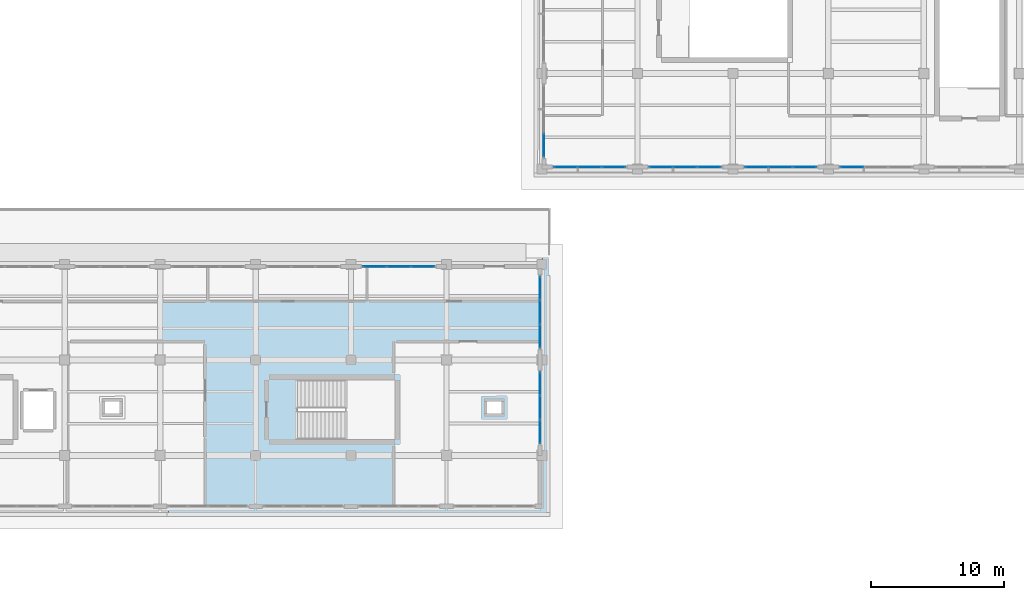
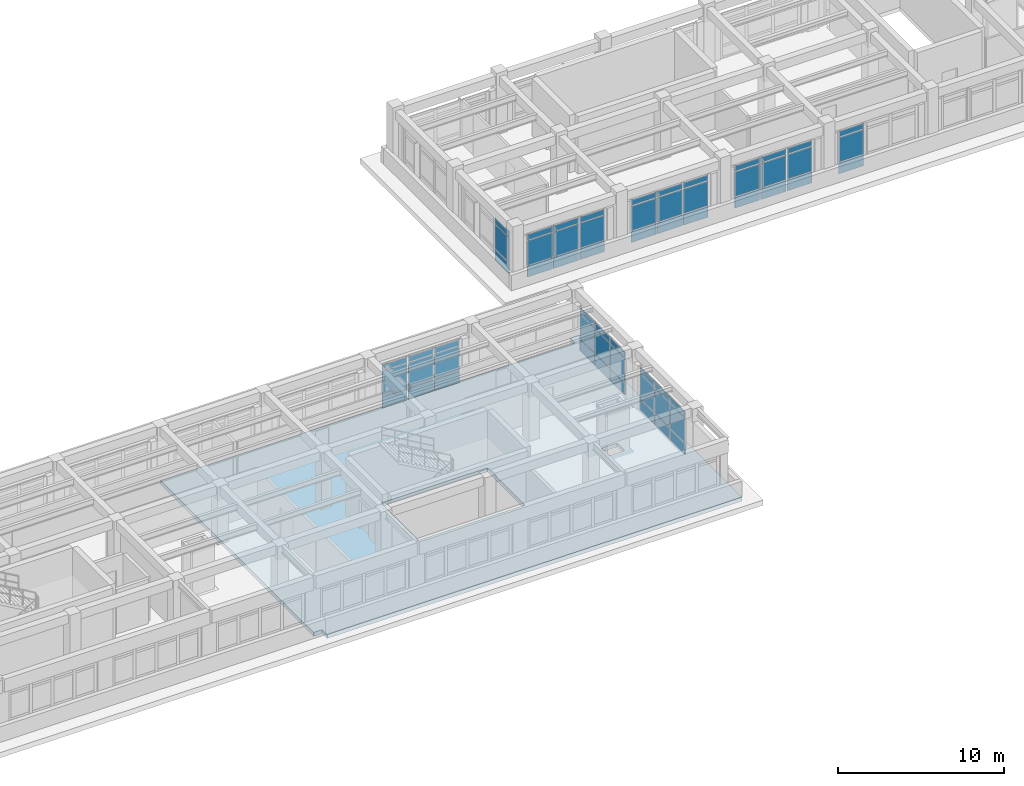
# One storey, part 37 of 64: 60 plates, 1 slab, 8 elements without a shape of their own.
"""IFC4 building model written with IfcOpenShell, lengths in metres."""

from ifc_helpers import new_model, si_unit, direction, frame, origin, origin_2d, place, context, subcontext, project, spatial, polyline, rectangle, outline, extrude, material, layer, layer_set, type_object, element, aggregate, save


model = new_model("IFC4")

# Units and contexts
model_context = context("Model", 3, precision=1e-05, world=origin(), true_north=direction((0.0, 1.0)))
body_context = subcontext(model_context, "Body", "Model", "MODEL_VIEW")
ifc_project = project(units=[si_unit("LENGTHUNIT", "METRE"), si_unit("AREAUNIT", "SQUARE_METRE"), si_unit("VOLUMEUNIT", "CUBIC_METRE"), si_unit("PLANEANGLEUNIT", "RADIAN"), si_unit("MASSUNIT", "GRAM", prefix="KILO")], contexts=[model_context])

# Site, building, storey
site_placement = place(None, origin())
site = spatial("IfcSite", under=ifc_project, at=site_placement, CompositionType="ELEMENT")
building_placement = place(site_placement, origin())
building = spatial("IfcBuilding", under=site, at=building_placement, Name="Solenvale Faculty of Natural Sciences", CompositionType="ELEMENT")
storey_placement = place(building_placement, frame((0.0, 0.0, 18.0)))
storey = spatial("IfcBuildingStorey", under=building, at=storey_placement, Name="L04", CompositionType="ELEMENT", Elevation=18.0)

# Curtain wall, plates
ifc_material_1 = material(Name="Anodised bronze aluminium", Category="aluminium")
ifc_layer_1 = layer(ifc_material_1, 0.199951171875)
ifc_layer_set_1 = layer_set([ifc_layer_1], Name="Anodised bronze aluminium")
curtain_wall_type_1 = type_object("IfcCurtainWallType", Name="CW-COM-FIN", PredefinedType="USERDEFINED", material=ifc_layer_set_1)
curtain_wall_1_placement = place(storey_placement, origin())
curtain_wall_1 = element("IfcCurtainWall", 1, at=curtain_wall_1_placement, inside=storey, type_object=curtain_wall_type_1, Name="L04 Curtain Wall CW-L04-P2-E1-B2", ObjectType="UNITISED CURTAIN WALL", PredefinedType="USERDEFINED")
ifc_material_2 = material(Name="North-light skylight glass", Category="glass")
ifc_layer_2 = layer(ifc_material_2, 0.028076171875)
ifc_layer_set_2 = layer_set([ifc_layer_2], Name="North-light skylight glass")
plate_type_1 = type_object("IfcPlateType", Name="CWP-PNL-28", PredefinedType="CURTAIN_PANEL", material=ifc_layer_set_2)
plate_1_placement = place(storey_placement, frame((124.185302734375, 43.342529296875, 0.074951171875), z_axis=(0.0, 0.0, 1.0), x_axis=(1.0, 0.0, 0.0)))
plate_1 = element("IfcPlate", 2, at=plate_1_placement, type_object=plate_type_1, Name="CW-03 panel 1.1", PredefinedType="CURTAIN_PANEL", context=body_context, shape_type="SweptSolid", body=[
    extrude(rectangle(XDim=1.720947265625, YDim=0.028076171875, at=origin_2d()), origin(), (0.0, 0.0, 1.0), 0.78759765625),
])
plate_2_placement = place(storey_placement, frame((124.185302734375, 43.342529296875, 0.9375), z_axis=(0.0, 0.0, 1.0), x_axis=(1.0, 0.0, 0.0)))
plate_2 = element("IfcPlate", 3, at=plate_2_placement, type_object=plate_type_1, Name="CW-03 panel 1.2", PredefinedType="CURTAIN_PANEL", context=body_context, shape_type="SweptSolid", body=[
    extrude(rectangle(XDim=1.720947265625, YDim=0.028076171875, at=origin_2d()), origin(), (0.0, 0.0, 1.0), 1.784912109375),
])
plate_3_placement = place(storey_placement, frame((124.185302734375, 43.342529296875, 2.79736328125), z_axis=(0.0, 0.0, 1.0), x_axis=(1.0, 0.0, 0.0)))
plate_3 = element("IfcPlate", 4, at=plate_3_placement, type_object=plate_type_1, Name="CW-03 panel 1.3", PredefinedType="CURTAIN_PANEL", context=body_context, shape_type="SweptSolid", body=[
    extrude(rectangle(XDim=1.720947265625, YDim=0.028076171875, at=origin_2d()), origin(), (0.0, 0.0, 1.0), 0.387451171875),
])
plate_4_placement = place(storey_placement, frame((126.0, 43.342529296875, 0.074951171875), z_axis=(0.0, 0.0, 1.0), x_axis=(1.0, 0.0, 0.0)))
plate_4 = element("IfcPlate", 5, at=plate_4_placement, type_object=plate_type_1, Name="CW-03 panel 2.1", PredefinedType="CURTAIN_PANEL", context=body_context, shape_type="SweptSolid", body=[
    extrude(rectangle(XDim=1.75830078125, YDim=0.028076171875, at=origin_2d()), origin(), (0.0, 0.0, 1.0), 0.78759765625),
])
plate_5_placement = place(storey_placement, frame((126.0, 43.342529296875, 0.9375), z_axis=(0.0, 0.0, 1.0), x_axis=(1.0, 0.0, 0.0)))
plate_5 = element("IfcPlate", 6, at=plate_5_placement, type_object=plate_type_1, Name="CW-03 panel 2.2", PredefinedType="CURTAIN_PANEL", context=body_context, shape_type="SweptSolid", body=[
    extrude(rectangle(XDim=1.75830078125, YDim=0.028076171875, at=origin_2d()), origin(), (0.0, 0.0, 1.0), 1.784912109375),
])
plate_6_placement = place(storey_placement, frame((126.0, 43.342529296875, 2.79736328125), z_axis=(0.0, 0.0, 1.0), x_axis=(1.0, 0.0, 0.0)))
plate_6 = element("IfcPlate", 7, at=plate_6_placement, type_object=plate_type_1, Name="CW-03 panel 2.3", PredefinedType="CURTAIN_PANEL", context=body_context, shape_type="SweptSolid", body=[
    extrude(rectangle(XDim=1.75830078125, YDim=0.028076171875, at=origin_2d()), origin(), (0.0, 0.0, 1.0), 0.387451171875),
])
plate_7_placement = place(storey_placement, frame((127.814697265625, 43.342529296875, 0.074951171875), z_axis=(0.0, 0.0, 1.0), x_axis=(1.0, 0.0, 0.0)))
plate_7 = element("IfcPlate", 8, at=plate_7_placement, type_object=plate_type_1, Name="CW-03 panel 3.1", PredefinedType="CURTAIN_PANEL", context=body_context, shape_type="SweptSolid", body=[
    extrude(rectangle(XDim=1.720947265625, YDim=0.028076171875, at=origin_2d()), origin(), (0.0, 0.0, 1.0), 0.78759765625),
])
plate_8_placement = place(storey_placement, frame((127.814697265625, 43.342529296875, 0.9375), z_axis=(0.0, 0.0, 1.0), x_axis=(1.0, 0.0, 0.0)))
plate_8 = element("IfcPlate", 9, at=plate_8_placement, type_object=plate_type_1, Name="CW-03 panel 3.2", PredefinedType="CURTAIN_PANEL", context=body_context, shape_type="SweptSolid", body=[
    extrude(rectangle(XDim=1.720947265625, YDim=0.028076171875, at=origin_2d()), origin(), (0.0, 0.0, 1.0), 1.784912109375),
])
plate_9_placement = place(storey_placement, frame((127.814697265625, 43.342529296875, 2.79736328125), z_axis=(0.0, 0.0, 1.0), x_axis=(1.0, 0.0, 0.0)))
plate_9 = element("IfcPlate", 10, at=plate_9_placement, type_object=plate_type_1, Name="CW-03 panel 3.3", PredefinedType="CURTAIN_PANEL", context=body_context, shape_type="SweptSolid", body=[
    extrude(rectangle(XDim=1.720947265625, YDim=0.028076171875, at=origin_2d()), origin(), (0.0, 0.0, 1.0), 0.387451171875),
])
aggregate(curtain_wall_1, [plate_1, plate_2, plate_3, plate_4, plate_5, plate_6, plate_7, plate_8, plate_9])

curtain_wall_2_placement = place(storey_placement, origin())
curtain_wall_2 = element("IfcCurtainWall", 11, at=curtain_wall_2_placement, inside=storey, type_object=curtain_wall_type_1, Name="L04 Curtain Wall CW-L04-P2-E1-B3", ObjectType="UNITISED CURTAIN WALL", PredefinedType="USERDEFINED")
ifc_material_3 = material(Name="Triple low-E insulated glass", Category="glass")
ifc_layer_3 = layer(ifc_material_3, 0.031982421875)
ifc_layer_set_3 = layer_set([ifc_layer_3], Name="Triple low-E insulated glass")
plate_type_2 = type_object("IfcPlateType", Name="CWP-PNL-32", PredefinedType="CURTAIN_PANEL", material=ifc_layer_set_3)
plate_10_placement = place(storey_placement, frame((131.385498046875, 43.342529296875, 0.074951171875), z_axis=(0.0, 0.0, 1.0), x_axis=(1.0, 0.0, 0.0)))
plate_10 = element("IfcPlate", 12, at=plate_10_placement, type_object=plate_type_2, Name="CW-03 panel 1.1", PredefinedType="CURTAIN_PANEL", context=body_context, shape_type="SweptSolid", body=[
    extrude(rectangle(XDim=1.720947265625, YDim=0.031982421875, at=origin_2d()), origin(), (0.0, 0.0, 1.0), 0.78759765625),
])
plate_11_placement = place(storey_placement, frame((131.385498046875, 43.342529296875, 0.9375), z_axis=(0.0, 0.0, 1.0), x_axis=(1.0, 0.0, 0.0)))
plate_11 = element("IfcPlate", 13, at=plate_11_placement, type_object=plate_type_2, Name="CW-03 panel 1.2", PredefinedType="CURTAIN_PANEL", context=body_context, shape_type="SweptSolid", body=[
    extrude(rectangle(XDim=1.720947265625, YDim=0.031982421875, at=origin_2d()), origin(), (0.0, 0.0, 1.0), 1.784912109375),
])
plate_12_placement = place(storey_placement, frame((131.385498046875, 43.342529296875, 2.79736328125), z_axis=(0.0, 0.0, 1.0), x_axis=(1.0, 0.0, 0.0)))
plate_12 = element("IfcPlate", 14, at=plate_12_placement, type_object=plate_type_2, Name="CW-03 panel 1.3", PredefinedType="CURTAIN_PANEL", context=body_context, shape_type="SweptSolid", body=[
    extrude(rectangle(XDim=1.720947265625, YDim=0.031982421875, at=origin_2d()), origin(), (0.0, 0.0, 1.0), 0.387451171875),
])
plate_13_placement = place(storey_placement, frame((133.199951171875, 43.342529296875, 0.074951171875), z_axis=(0.0, 0.0, 1.0), x_axis=(1.0, 0.0, 0.0)))
plate_13 = element("IfcPlate", 15, at=plate_13_placement, type_object=plate_type_2, Name="CW-03 panel 2.1", PredefinedType="CURTAIN_PANEL", context=body_context, shape_type="SweptSolid", body=[
    extrude(rectangle(XDim=1.75830078125, YDim=0.031982421875, at=origin_2d()), origin(), (0.0, 0.0, 1.0), 0.78759765625),
])
plate_14_placement = place(storey_placement, frame((133.199951171875, 43.342529296875, 0.9375), z_axis=(0.0, 0.0, 1.0), x_axis=(1.0, 0.0, 0.0)))
plate_14 = element("IfcPlate", 16, at=plate_14_placement, type_object=plate_type_2, Name="CW-03 panel 2.2", PredefinedType="CURTAIN_PANEL", context=body_context, shape_type="SweptSolid", body=[
    extrude(rectangle(XDim=1.75830078125, YDim=0.031982421875, at=origin_2d()), origin(), (0.0, 0.0, 1.0), 1.784912109375),
])
plate_15_placement = place(storey_placement, frame((133.199951171875, 43.342529296875, 2.79736328125), z_axis=(0.0, 0.0, 1.0), x_axis=(1.0, 0.0, 0.0)))
plate_15 = element("IfcPlate", 17, at=plate_15_placement, type_object=plate_type_2, Name="CW-03 panel 2.3", PredefinedType="CURTAIN_PANEL", context=body_context, shape_type="SweptSolid", body=[
    extrude(rectangle(XDim=1.75830078125, YDim=0.031982421875, at=origin_2d()), origin(), (0.0, 0.0, 1.0), 0.387451171875),
])
plate_16_placement = place(storey_placement, frame((135.0146484375, 43.342529296875, 0.074951171875), z_axis=(0.0, 0.0, 1.0), x_axis=(1.0, 0.0, 0.0)))
plate_16 = element("IfcPlate", 18, at=plate_16_placement, type_object=plate_type_2, Name="CW-03 panel 3.1", PredefinedType="CURTAIN_PANEL", context=body_context, shape_type="SweptSolid", body=[
    extrude(rectangle(XDim=1.720947265625, YDim=0.031982421875, at=origin_2d()), origin(), (0.0, 0.0, 1.0), 0.78759765625),
])
plate_17_placement = place(storey_placement, frame((135.0146484375, 43.342529296875, 0.9375), z_axis=(0.0, 0.0, 1.0), x_axis=(1.0, 0.0, 0.0)))
plate_17 = element("IfcPlate", 19, at=plate_17_placement, type_object=plate_type_2, Name="CW-03 panel 3.2", PredefinedType="CURTAIN_PANEL", context=body_context, shape_type="SweptSolid", body=[
    extrude(rectangle(XDim=1.720947265625, YDim=0.031982421875, at=origin_2d()), origin(), (0.0, 0.0, 1.0), 1.784912109375),
])
plate_18_placement = place(storey_placement, frame((135.0146484375, 43.342529296875, 2.79736328125), z_axis=(0.0, 0.0, 1.0), x_axis=(1.0, 0.0, 0.0)))
plate_18 = element("IfcPlate", 20, at=plate_18_placement, type_object=plate_type_2, Name="CW-03 panel 3.3", PredefinedType="CURTAIN_PANEL", context=body_context, shape_type="SweptSolid", body=[
    extrude(rectangle(XDim=1.720947265625, YDim=0.031982421875, at=origin_2d()), origin(), (0.0, 0.0, 1.0), 0.387451171875),
])
aggregate(curtain_wall_2, [plate_10, plate_11, plate_12, plate_13, plate_14, plate_15, plate_16, plate_17, plate_18])

curtain_wall_3_placement = place(storey_placement, origin())
curtain_wall_3 = element("IfcCurtainWall", 21, at=curtain_wall_3_placement, inside=storey, type_object=curtain_wall_type_1, Name="L04 Curtain Wall CW-L04-P2-E1-B4", ObjectType="UNITISED CURTAIN WALL", PredefinedType="USERDEFINED")
ifc_layer_4 = layer(ifc_material_3, 0.035888671875)
ifc_layer_set_4 = layer_set([ifc_layer_4], Name="Triple low-E insulated glass")
plate_type_3 = type_object("IfcPlateType", Name="CWP-PNL-36", PredefinedType="CURTAIN_PANEL", material=ifc_layer_set_4)
plate_19_placement = place(storey_placement, frame((138.58544921875, 43.342529296875, 0.074951171875), z_axis=(0.0, 0.0, 1.0), x_axis=(1.0, 0.0, 0.0)))
plate_19 = element("IfcPlate", 22, at=plate_19_placement, type_object=plate_type_3, Name="CW-03 panel 1.1", PredefinedType="CURTAIN_PANEL", context=body_context, shape_type="SweptSolid", body=[
    extrude(rectangle(XDim=1.720947265625, YDim=0.035888671875, at=origin_2d()), origin(), (0.0, 0.0, 1.0), 0.78759765625),
])
plate_20_placement = place(storey_placement, frame((138.58544921875, 43.342529296875, 0.9375), z_axis=(0.0, 0.0, 1.0), x_axis=(1.0, 0.0, 0.0)))
plate_20 = element("IfcPlate", 23, at=plate_20_placement, type_object=plate_type_3, Name="CW-03 panel 1.2", PredefinedType="CURTAIN_PANEL", context=body_context, shape_type="SweptSolid", body=[
    extrude(rectangle(XDim=1.720947265625, YDim=0.035888671875, at=origin_2d()), origin(), (0.0, 0.0, 1.0), 1.784912109375),
])
plate_21_placement = place(storey_placement, frame((138.58544921875, 43.342529296875, 2.79736328125), z_axis=(0.0, 0.0, 1.0), x_axis=(1.0, 0.0, 0.0)))
plate_21 = element("IfcPlate", 24, at=plate_21_placement, type_object=plate_type_3, Name="CW-03 panel 1.3", PredefinedType="CURTAIN_PANEL", context=body_context, shape_type="SweptSolid", body=[
    extrude(rectangle(XDim=1.720947265625, YDim=0.035888671875, at=origin_2d()), origin(), (0.0, 0.0, 1.0), 0.387451171875),
])
aggregate(curtain_wall_3, [plate_19, plate_20, plate_21])

curtain_wall_4_placement = place(storey_placement, origin())
curtain_wall_4 = element("IfcCurtainWall", 25, at=curtain_wall_4_placement, inside=storey, type_object=curtain_wall_type_1, Name="L04 Curtain Wall CW-L04-P2-E4-B2", ObjectType="UNITISED CURTAIN WALL", PredefinedType="USERDEFINED")
ifc_layer_5 = layer(ifc_material_3, 0.0400390625)
ifc_layer_set_5 = layer_set([ifc_layer_5], Name="Triple low-E insulated glass")
plate_type_4 = type_object("IfcPlateType", Name="CWP-PNL-40", PredefinedType="CURTAIN_PANEL", material=ifc_layer_set_5)
plate_22_placement = place(storey_placement, frame((115.342529296875, 44.9853515625, 0.074951171875), z_axis=(0.0, 0.0, 1.0), x_axis=(0.0, -1.0, 0.0)))
plate_22 = element("IfcPlate", 26, at=plate_22_placement, type_object=plate_type_4, Name="CW-03 panel 3.1", PredefinedType="CURTAIN_PANEL", context=body_context, shape_type="SweptSolid", body=[
    extrude(rectangle(XDim=1.720947265625, YDim=0.0400390625, at=origin_2d()), origin(), (0.0, 0.0, 1.0), 0.78759765625),
])
plate_23_placement = place(storey_placement, frame((115.342529296875, 44.9853515625, 0.9375), z_axis=(0.0, 0.0, 1.0), x_axis=(0.0, -1.0, 0.0)))
plate_23 = element("IfcPlate", 27, at=plate_23_placement, type_object=plate_type_4, Name="CW-03 panel 3.2", PredefinedType="CURTAIN_PANEL", context=body_context, shape_type="SweptSolid", body=[
    extrude(rectangle(XDim=1.720947265625, YDim=0.0400390625, at=origin_2d()), origin(), (0.0, 0.0, 1.0), 1.784912109375),
])
plate_24_placement = place(storey_placement, frame((115.342529296875, 44.9853515625, 2.79736328125), z_axis=(0.0, 0.0, 1.0), x_axis=(0.0, -1.0, 0.0)))
plate_24 = element("IfcPlate", 28, at=plate_24_placement, type_object=plate_type_4, Name="CW-03 panel 3.3", PredefinedType="CURTAIN_PANEL", context=body_context, shape_type="SweptSolid", body=[
    extrude(rectangle(XDim=1.720947265625, YDim=0.0400390625, at=origin_2d()), origin(), (0.0, 0.0, 1.0), 0.387451171875),
])
aggregate(curtain_wall_4, [plate_22, plate_23, plate_24])

ifc_layer_6 = layer(ifc_material_1, 0.179931640625)
ifc_layer_set_6 = layer_set([ifc_layer_6], Name="Anodised bronze aluminium")
curtain_wall_type_2 = type_object("IfcCurtainWallType", Name="CW-TWR-MOD", PredefinedType="USERDEFINED", material=ifc_layer_set_6)
curtain_wall_5_placement = place(storey_placement, origin())
curtain_wall_5 = element("IfcCurtainWall", 29, at=curtain_wall_5_placement, inside=storey, type_object=curtain_wall_type_2, Name="L04 Curtain Wall CW-L04-P1-E7-B2", ObjectType="UNITISED CURTAIN WALL", PredefinedType="USERDEFINED")
ifc_layer_7 = layer(ifc_material_1, 0.053955078125)
ifc_layer_set_7 = layer_set([ifc_layer_7], Name="Anodised bronze aluminium")
plate_type_5 = type_object("IfcPlateType", Name="CWP-PNL-54", PredefinedType="CURTAIN_PANEL", material=ifc_layer_set_7)
plate_25_placement = place(storey_placement, frame((115.0576171875, 23.385498046875, 0.074951171875), z_axis=(0.0, 0.0, 1.0), x_axis=(0.0, 1.0, 0.0)))
plate_25 = element("IfcPlate", 30, at=plate_25_placement, type_object=plate_type_5, Name="CW-04 panel 1.1", PredefinedType="CURTAIN_PANEL", context=body_context, shape_type="SweptSolid", body=[
    extrude(rectangle(XDim=1.720947265625, YDim=0.053955078125, at=origin_2d()), origin(), (0.0, 0.0, 1.0), 0.78759765625),
])
plate_26_placement = place(storey_placement, frame((115.0576171875, 23.385498046875, 0.9375), z_axis=(0.0, 0.0, 1.0), x_axis=(0.0, 1.0, 0.0)))
plate_26 = element("IfcPlate", 31, at=plate_26_placement, type_object=plate_type_5, Name="CW-04 panel 1.2", PredefinedType="CURTAIN_PANEL", context=body_context, shape_type="SweptSolid", body=[
    extrude(rectangle(XDim=1.720947265625, YDim=0.053955078125, at=origin_2d()), origin(), (0.0, 0.0, 1.0), 1.784912109375),
])
plate_27_placement = place(storey_placement, frame((115.0576171875, 23.385498046875, 2.79736328125), z_axis=(0.0, 0.0, 1.0), x_axis=(0.0, 1.0, 0.0)))
plate_27 = element("IfcPlate", 32, at=plate_27_placement, type_object=plate_type_5, Name="CW-04 panel 1.3", PredefinedType="CURTAIN_PANEL", context=body_context, shape_type="SweptSolid", body=[
    extrude(rectangle(XDim=1.720947265625, YDim=0.053955078125, at=origin_2d()), origin(), (0.0, 0.0, 1.0), 0.387451171875),
])
plate_28_placement = place(storey_placement, frame((115.0576171875, 25.199951171875, 0.074951171875), z_axis=(0.0, 0.0, 1.0), x_axis=(0.0, 1.0, 0.0)))
plate_28 = element("IfcPlate", 33, at=plate_28_placement, type_object=plate_type_5, Name="CW-04 panel 2.1", PredefinedType="CURTAIN_PANEL", context=body_context, shape_type="SweptSolid", body=[
    extrude(rectangle(XDim=1.75830078125, YDim=0.053955078125, at=origin_2d()), origin(), (0.0, 0.0, 1.0), 0.78759765625),
])
plate_29_placement = place(storey_placement, frame((115.0576171875, 25.199951171875, 0.9375), z_axis=(0.0, 0.0, 1.0), x_axis=(0.0, 1.0, 0.0)))
plate_29 = element("IfcPlate", 34, at=plate_29_placement, type_object=plate_type_5, Name="CW-04 panel 2.2", PredefinedType="CURTAIN_PANEL", context=body_context, shape_type="SweptSolid", body=[
    extrude(rectangle(XDim=1.75830078125, YDim=0.053955078125, at=origin_2d()), origin(), (0.0, 0.0, 1.0), 1.784912109375),
])
plate_30_placement = place(storey_placement, frame((115.0576171875, 25.199951171875, 2.79736328125), z_axis=(0.0, 0.0, 1.0), x_axis=(0.0, 1.0, 0.0)))
plate_30 = element("IfcPlate", 35, at=plate_30_placement, type_object=plate_type_5, Name="CW-04 panel 2.3", PredefinedType="CURTAIN_PANEL", context=body_context, shape_type="SweptSolid", body=[
    extrude(rectangle(XDim=1.75830078125, YDim=0.053955078125, at=origin_2d()), origin(), (0.0, 0.0, 1.0), 0.387451171875),
])
plate_31_placement = place(storey_placement, frame((115.0576171875, 27.0146484375, 0.074951171875), z_axis=(0.0, 0.0, 1.0), x_axis=(0.0, 1.0, 0.0)))
plate_31 = element("IfcPlate", 36, at=plate_31_placement, type_object=plate_type_5, Name="CW-04 panel 3.1", PredefinedType="CURTAIN_PANEL", context=body_context, shape_type="SweptSolid", body=[
    extrude(rectangle(XDim=1.720947265625, YDim=0.053955078125, at=origin_2d()), origin(), (0.0, 0.0, 1.0), 0.78759765625),
])
plate_32_placement = place(storey_placement, frame((115.0576171875, 27.0146484375, 0.9375), z_axis=(0.0, 0.0, 1.0), x_axis=(0.0, 1.0, 0.0)))
plate_32 = element("IfcPlate", 37, at=plate_32_placement, type_object=plate_type_5, Name="CW-04 panel 3.2", PredefinedType="CURTAIN_PANEL", context=body_context, shape_type="SweptSolid", body=[
    extrude(rectangle(XDim=1.720947265625, YDim=0.053955078125, at=origin_2d()), origin(), (0.0, 0.0, 1.0), 1.784912109375),
])
plate_33_placement = place(storey_placement, frame((115.0576171875, 27.0146484375, 2.79736328125), z_axis=(0.0, 0.0, 1.0), x_axis=(0.0, 1.0, 0.0)))
plate_33 = element("IfcPlate", 38, at=plate_33_placement, type_object=plate_type_5, Name="CW-04 panel 3.3", PredefinedType="CURTAIN_PANEL", context=body_context, shape_type="SweptSolid", body=[
    extrude(rectangle(XDim=1.720947265625, YDim=0.053955078125, at=origin_2d()), origin(), (0.0, 0.0, 1.0), 0.387451171875),
])
aggregate(curtain_wall_5, [plate_25, plate_26, plate_27, plate_28, plate_29, plate_30, plate_31, plate_32, plate_33])

curtain_wall_6_placement = place(storey_placement, origin())
curtain_wall_6 = element("IfcCurtainWall", 39, at=curtain_wall_6_placement, inside=storey, type_object=curtain_wall_type_2, Name="L04 Curtain Wall CW-L04-P1-E7-B3", ObjectType="UNITISED CURTAIN WALL", PredefinedType="USERDEFINED")
ifc_layer_8 = layer(ifc_material_1, 0.06005859375)
ifc_layer_set_8 = layer_set([ifc_layer_8], Name="Anodised bronze aluminium")
plate_type_6 = type_object("IfcPlateType", Name="CWP-PNL-60", PredefinedType="CURTAIN_PANEL", material=ifc_layer_set_8)
plate_34_placement = place(storey_placement, frame((115.0576171875, 30.58544921875, 0.074951171875), z_axis=(0.0, 0.0, 1.0), x_axis=(0.0, 1.0, 0.0)))
plate_34 = element("IfcPlate", 40, at=plate_34_placement, type_object=plate_type_6, Name="CW-04 panel 1.1", PredefinedType="CURTAIN_PANEL", context=body_context, shape_type="SweptSolid", body=[
    extrude(rectangle(XDim=1.720947265625, YDim=0.06005859375, at=origin_2d()), origin(), (0.0, 0.0, 1.0), 0.78759765625),
])
plate_35_placement = place(storey_placement, frame((115.0576171875, 30.58544921875, 0.9375), z_axis=(0.0, 0.0, 1.0), x_axis=(0.0, 1.0, 0.0)))
plate_35 = element("IfcPlate", 41, at=plate_35_placement, type_object=plate_type_6, Name="CW-04 panel 1.2", PredefinedType="CURTAIN_PANEL", context=body_context, shape_type="SweptSolid", body=[
    extrude(rectangle(XDim=1.720947265625, YDim=0.06005859375, at=origin_2d()), origin(), (0.0, 0.0, 1.0), 1.784912109375),
])
plate_36_placement = place(storey_placement, frame((115.0576171875, 30.58544921875, 2.79736328125), z_axis=(0.0, 0.0, 1.0), x_axis=(0.0, 1.0, 0.0)))
plate_36 = element("IfcPlate", 42, at=plate_36_placement, type_object=plate_type_6, Name="CW-04 panel 1.3", PredefinedType="CURTAIN_PANEL", context=body_context, shape_type="SweptSolid", body=[
    extrude(rectangle(XDim=1.720947265625, YDim=0.06005859375, at=origin_2d()), origin(), (0.0, 0.0, 1.0), 0.387451171875),
])
plate_37_placement = place(storey_placement, frame((115.0576171875, 32.39990234375, 0.074951171875), z_axis=(0.0, 0.0, 1.0), x_axis=(0.0, 1.0, 0.0)))
plate_37 = element("IfcPlate", 43, at=plate_37_placement, type_object=plate_type_6, Name="CW-04 panel 2.1", PredefinedType="CURTAIN_PANEL", context=body_context, shape_type="SweptSolid", body=[
    extrude(rectangle(XDim=1.75830078125, YDim=0.06005859375, at=origin_2d()), origin(), (0.0, 0.0, 1.0), 0.78759765625),
])
plate_38_placement = place(storey_placement, frame((115.0576171875, 32.39990234375, 0.9375), z_axis=(0.0, 0.0, 1.0), x_axis=(0.0, 1.0, 0.0)))
plate_38 = element("IfcPlate", 44, at=plate_38_placement, type_object=plate_type_6, Name="CW-04 panel 2.2", PredefinedType="CURTAIN_PANEL", context=body_context, shape_type="SweptSolid", body=[
    extrude(rectangle(XDim=1.75830078125, YDim=0.06005859375, at=origin_2d()), origin(), (0.0, 0.0, 1.0), 1.784912109375),
])
plate_39_placement = place(storey_placement, frame((115.0576171875, 32.39990234375, 2.79736328125), z_axis=(0.0, 0.0, 1.0), x_axis=(0.0, 1.0, 0.0)))
plate_39 = element("IfcPlate", 45, at=plate_39_placement, type_object=plate_type_6, Name="CW-04 panel 2.3", PredefinedType="CURTAIN_PANEL", context=body_context, shape_type="SweptSolid", body=[
    extrude(rectangle(XDim=1.75830078125, YDim=0.06005859375, at=origin_2d()), origin(), (0.0, 0.0, 1.0), 0.387451171875),
])
plate_40_placement = place(storey_placement, frame((115.0576171875, 34.214599609375, 0.074951171875), z_axis=(0.0, 0.0, 1.0), x_axis=(0.0, 1.0, 0.0)))
plate_40 = element("IfcPlate", 46, at=plate_40_placement, type_object=plate_type_6, Name="CW-04 panel 3.1", PredefinedType="CURTAIN_PANEL", context=body_context, shape_type="SweptSolid", body=[
    extrude(rectangle(XDim=1.720947265625, YDim=0.06005859375, at=origin_2d()), origin(), (0.0, 0.0, 1.0), 0.78759765625),
])
plate_41_placement = place(storey_placement, frame((115.0576171875, 34.214599609375, 0.9375), z_axis=(0.0, 0.0, 1.0), x_axis=(0.0, 1.0, 0.0)))
plate_41 = element("IfcPlate", 47, at=plate_41_placement, type_object=plate_type_6, Name="CW-04 panel 3.2", PredefinedType="CURTAIN_PANEL", context=body_context, shape_type="SweptSolid", body=[
    extrude(rectangle(XDim=1.720947265625, YDim=0.06005859375, at=origin_2d()), origin(), (0.0, 0.0, 1.0), 1.784912109375),
])
plate_42_placement = place(storey_placement, frame((115.0576171875, 34.214599609375, 2.79736328125), z_axis=(0.0, 0.0, 1.0), x_axis=(0.0, 1.0, 0.0)))
plate_42 = element("IfcPlate", 48, at=plate_42_placement, type_object=plate_type_6, Name="CW-04 panel 3.3", PredefinedType="CURTAIN_PANEL", context=body_context, shape_type="SweptSolid", body=[
    extrude(rectangle(XDim=1.720947265625, YDim=0.06005859375, at=origin_2d()), origin(), (0.0, 0.0, 1.0), 0.387451171875),
])
aggregate(curtain_wall_6, [plate_34, plate_35, plate_36, plate_37, plate_38, plate_39, plate_40, plate_41, plate_42])

ifc_layer_9 = layer(ifc_material_1, 0.18994140625)
ifc_layer_set_9 = layer_set([ifc_layer_9], Name="Anodised bronze aluminium")
curtain_wall_type_3 = type_object("IfcCurtainWallType", Name="CW-TRAY-REC", PredefinedType="USERDEFINED", material=ifc_layer_set_9)
curtain_wall_7_placement = place(storey_placement, origin())
curtain_wall_7 = element("IfcCurtainWall", 49, at=curtain_wall_7_placement, inside=storey, type_object=curtain_wall_type_3, Name="L04 Curtain Wall CW-L04-P1-E8-B2", ObjectType="UNITISED CURTAIN WALL", PredefinedType="USERDEFINED")
plate_43_placement = place(storey_placement, frame((106.214599609375, 35.83740234375, 0.074951171875), z_axis=(0.0, 0.0, 1.0), x_axis=(-1.0, 0.0, 0.0)))
plate_43 = element("IfcPlate", 50, at=plate_43_placement, type_object=plate_type_6, Name="CW-02 panel 1.1", PredefinedType="CURTAIN_PANEL", context=body_context, shape_type="SweptSolid", body=[
    extrude(rectangle(XDim=1.720947265625, YDim=0.06005859375, at=origin_2d()), origin(), (0.0, 0.0, 1.0), 0.78759765625),
])
plate_44_placement = place(storey_placement, frame((106.214599609375, 35.83740234375, 0.9375), z_axis=(0.0, 0.0, 1.0), x_axis=(-1.0, 0.0, 0.0)))
plate_44 = element("IfcPlate", 51, at=plate_44_placement, type_object=plate_type_6, Name="CW-02 panel 1.2", PredefinedType="CURTAIN_PANEL", context=body_context, shape_type="SweptSolid", body=[
    extrude(rectangle(XDim=1.720947265625, YDim=0.06005859375, at=origin_2d()), origin(), (0.0, 0.0, 1.0), 1.784912109375),
])
plate_45_placement = place(storey_placement, frame((106.214599609375, 35.83740234375, 2.79736328125), z_axis=(0.0, 0.0, 1.0), x_axis=(-1.0, 0.0, 0.0)))
plate_45 = element("IfcPlate", 52, at=plate_45_placement, type_object=plate_type_6, Name="CW-02 panel 1.3", PredefinedType="CURTAIN_PANEL", context=body_context, shape_type="SweptSolid", body=[
    extrude(rectangle(XDim=1.720947265625, YDim=0.06005859375, at=origin_2d()), origin(), (0.0, 0.0, 1.0), 0.387451171875),
])
plate_46_placement = place(storey_placement, frame((104.39990234375, 35.83740234375, 0.074951171875), z_axis=(0.0, 0.0, 1.0), x_axis=(-1.0, 0.0, 0.0)))
plate_46 = element("IfcPlate", 53, at=plate_46_placement, type_object=plate_type_6, Name="CW-02 panel 2.1", PredefinedType="CURTAIN_PANEL", context=body_context, shape_type="SweptSolid", body=[
    extrude(rectangle(XDim=1.75830078125, YDim=0.06005859375, at=origin_2d()), origin(), (0.0, 0.0, 1.0), 0.78759765625),
])
plate_47_placement = place(storey_placement, frame((104.39990234375, 35.83740234375, 0.9375), z_axis=(0.0, 0.0, 1.0), x_axis=(-1.0, 0.0, 0.0)))
plate_47 = element("IfcPlate", 54, at=plate_47_placement, type_object=plate_type_6, Name="CW-02 panel 2.2", PredefinedType="CURTAIN_PANEL", context=body_context, shape_type="SweptSolid", body=[
    extrude(rectangle(XDim=1.75830078125, YDim=0.06005859375, at=origin_2d()), origin(), (0.0, 0.0, 1.0), 1.784912109375),
])
plate_48_placement = place(storey_placement, frame((104.39990234375, 35.83740234375, 2.79736328125), z_axis=(0.0, 0.0, 1.0), x_axis=(-1.0, 0.0, 0.0)))
plate_48 = element("IfcPlate", 55, at=plate_48_placement, type_object=plate_type_6, Name="CW-02 panel 2.3", PredefinedType="CURTAIN_PANEL", context=body_context, shape_type="SweptSolid", body=[
    extrude(rectangle(XDim=1.75830078125, YDim=0.06005859375, at=origin_2d()), origin(), (0.0, 0.0, 1.0), 0.387451171875),
])
plate_49_placement = place(storey_placement, frame((102.58544921875, 35.83740234375, 0.074951171875), z_axis=(0.0, 0.0, 1.0), x_axis=(-1.0, 0.0, 0.0)))
plate_49 = element("IfcPlate", 56, at=plate_49_placement, type_object=plate_type_6, Name="CW-02 panel 3.1", PredefinedType="CURTAIN_PANEL", context=body_context, shape_type="SweptSolid", body=[
    extrude(rectangle(XDim=1.720947265625, YDim=0.06005859375, at=origin_2d()), origin(), (0.0, 0.0, 1.0), 0.78759765625),
])
plate_50_placement = place(storey_placement, frame((102.58544921875, 35.83740234375, 0.9375), z_axis=(0.0, 0.0, 1.0), x_axis=(-1.0, 0.0, 0.0)))
plate_50 = element("IfcPlate", 57, at=plate_50_placement, type_object=plate_type_6, Name="CW-02 panel 3.2", PredefinedType="CURTAIN_PANEL", context=body_context, shape_type="SweptSolid", body=[
    extrude(rectangle(XDim=1.720947265625, YDim=0.06005859375, at=origin_2d()), origin(), (0.0, 0.0, 1.0), 1.784912109375),
])
plate_51_placement = place(storey_placement, frame((102.58544921875, 35.83740234375, 2.79736328125), z_axis=(0.0, 0.0, 1.0), x_axis=(-1.0, 0.0, 0.0)))
plate_51 = element("IfcPlate", 58, at=plate_51_placement, type_object=plate_type_6, Name="CW-02 panel 3.3", PredefinedType="CURTAIN_PANEL", context=body_context, shape_type="SweptSolid", body=[
    extrude(rectangle(XDim=1.720947265625, YDim=0.06005859375, at=origin_2d()), origin(), (0.0, 0.0, 1.0), 0.387451171875),
])
aggregate(curtain_wall_7, [plate_43, plate_44, plate_45, plate_46, plate_47, plate_48, plate_49, plate_50, plate_51])

curtain_wall_8_placement = place(storey_placement, origin())
curtain_wall_8 = element("IfcCurtainWall", 59, at=curtain_wall_8_placement, inside=storey, type_object=curtain_wall_type_1, Name="L04 Curtain Wall CW-L04-P2-E1-B1", ObjectType="UNITISED CURTAIN WALL", PredefinedType="USERDEFINED")
plate_52_placement = place(storey_placement, frame((116.9853515625, 43.342529296875, 0.074951171875), z_axis=(0.0, 0.0, 1.0), x_axis=(1.0, 0.0, 0.0)))
plate_52 = element("IfcPlate", 60, at=plate_52_placement, type_object=plate_type_6, Name="CW-03 panel 1.1", PredefinedType="CURTAIN_PANEL", context=body_context, shape_type="SweptSolid", body=[
    extrude(rectangle(XDim=1.720947265625, YDim=0.06005859375, at=origin_2d()), origin(), (0.0, 0.0, 1.0), 0.78759765625),
])
plate_53_placement = place(storey_placement, frame((116.9853515625, 43.342529296875, 0.9375), z_axis=(0.0, 0.0, 1.0), x_axis=(1.0, 0.0, 0.0)))
plate_53 = element("IfcPlate", 61, at=plate_53_placement, type_object=plate_type_6, Name="CW-03 panel 1.2", PredefinedType="CURTAIN_PANEL", context=body_context, shape_type="SweptSolid", body=[
    extrude(rectangle(XDim=1.720947265625, YDim=0.06005859375, at=origin_2d()), origin(), (0.0, 0.0, 1.0), 1.784912109375),
])
plate_54_placement = place(storey_placement, frame((116.9853515625, 43.342529296875, 2.79736328125), z_axis=(0.0, 0.0, 1.0), x_axis=(1.0, 0.0, 0.0)))
plate_54 = element("IfcPlate", 62, at=plate_54_placement, type_object=plate_type_6, Name="CW-03 panel 1.3", PredefinedType="CURTAIN_PANEL", context=body_context, shape_type="SweptSolid", body=[
    extrude(rectangle(XDim=1.720947265625, YDim=0.06005859375, at=origin_2d()), origin(), (0.0, 0.0, 1.0), 0.387451171875),
])
plate_55_placement = place(storey_placement, frame((118.800048828125, 43.342529296875, 0.074951171875), z_axis=(0.0, 0.0, 1.0), x_axis=(1.0, 0.0, 0.0)))
plate_55 = element("IfcPlate", 63, at=plate_55_placement, type_object=plate_type_6, Name="CW-03 panel 2.1", PredefinedType="CURTAIN_PANEL", context=body_context, shape_type="SweptSolid", body=[
    extrude(rectangle(XDim=1.75830078125, YDim=0.06005859375, at=origin_2d()), origin(), (0.0, 0.0, 1.0), 0.78759765625),
])
plate_56_placement = place(storey_placement, frame((118.800048828125, 43.342529296875, 0.9375), z_axis=(0.0, 0.0, 1.0), x_axis=(1.0, 0.0, 0.0)))
plate_56 = element("IfcPlate", 64, at=plate_56_placement, type_object=plate_type_6, Name="CW-03 panel 2.2", PredefinedType="CURTAIN_PANEL", context=body_context, shape_type="SweptSolid", body=[
    extrude(rectangle(XDim=1.75830078125, YDim=0.06005859375, at=origin_2d()), origin(), (0.0, 0.0, 1.0), 1.784912109375),
])
plate_57_placement = place(storey_placement, frame((118.800048828125, 43.342529296875, 2.79736328125), z_axis=(0.0, 0.0, 1.0), x_axis=(1.0, 0.0, 0.0)))
plate_57 = element("IfcPlate", 65, at=plate_57_placement, type_object=plate_type_6, Name="CW-03 panel 2.3", PredefinedType="CURTAIN_PANEL", context=body_context, shape_type="SweptSolid", body=[
    extrude(rectangle(XDim=1.75830078125, YDim=0.06005859375, at=origin_2d()), origin(), (0.0, 0.0, 1.0), 0.387451171875),
])
plate_58_placement = place(storey_placement, frame((120.614501953125, 43.342529296875, 0.074951171875), z_axis=(0.0, 0.0, 1.0), x_axis=(1.0, 0.0, 0.0)))
plate_58 = element("IfcPlate", 66, at=plate_58_placement, type_object=plate_type_6, Name="CW-03 panel 3.1", PredefinedType="CURTAIN_PANEL", context=body_context, shape_type="SweptSolid", body=[
    extrude(rectangle(XDim=1.720947265625, YDim=0.06005859375, at=origin_2d()), origin(), (0.0, 0.0, 1.0), 0.78759765625),
])
plate_59_placement = place(storey_placement, frame((120.614501953125, 43.342529296875, 0.9375), z_axis=(0.0, 0.0, 1.0), x_axis=(1.0, 0.0, 0.0)))
plate_59 = element("IfcPlate", 67, at=plate_59_placement, type_object=plate_type_6, Name="CW-03 panel 3.2", PredefinedType="CURTAIN_PANEL", context=body_context, shape_type="SweptSolid", body=[
    extrude(rectangle(XDim=1.720947265625, YDim=0.06005859375, at=origin_2d()), origin(), (0.0, 0.0, 1.0), 1.784912109375),
])
plate_60_placement = place(storey_placement, frame((120.614501953125, 43.342529296875, 2.79736328125), z_axis=(0.0, 0.0, 1.0), x_axis=(1.0, 0.0, 0.0)))
plate_60 = element("IfcPlate", 68, at=plate_60_placement, type_object=plate_type_6, Name="CW-03 panel 3.3", PredefinedType="CURTAIN_PANEL", context=body_context, shape_type="SweptSolid", body=[
    extrude(rectangle(XDim=1.720947265625, YDim=0.06005859375, at=origin_2d()), origin(), (0.0, 0.0, 1.0), 0.387451171875),
])
aggregate(curtain_wall_8, [plate_52, plate_53, plate_54, plate_55, plate_56, plate_57, plate_58, plate_59, plate_60])

# Slab
ifc_material_4 = material(Name="Architectural bronze concrete 40 MPa", Category="concrete")
ifc_layer_10 = layer(ifc_material_4, 0.280029296875)
ifc_layer_set_10 = layer_set([ifc_layer_10], Name="Architectural bronze concrete 40 MPa")
slab_type = type_object("IfcSlabType", Name="SL-TRAY-280", PredefinedType="FLOOR", material=ifc_layer_set_10)
slab_placement = place(storey_placement, frame((0.0, 0.0, -0.280029296875)))
element("IfcSlab", 69, at=slab_placement, inside=storey, type_object=slab_type, Name="L04 V4 Floor Slab 2.1", PredefinedType="FLOOR", context=body_context, shape_type="SweptSolid", body=[
    extrude(outline(polyline([(86.455078125, 17.580078125), (86.437255859375, 17.58740234375), (86.429931640625, 17.60498046875), (86.429931640625, 35.97509765625), (86.441162109375, 35.995849609375), (115.175537109375, 36.0), (115.19189453125, 35.993896484375), (115.20068359375, 35.97998046875), (115.214599609375, 35.986328125), (115.219970703125, 35.999755859375), (115.219970703125, 36.594970703125), (115.227294921875, 36.61279296875), (115.2451171875, 36.6201171875), (115.794921875, 36.6201171875), (115.81591796875, 36.60888671875), (115.820068359375, 17.0048828125), (115.808837890625, 16.984130859375), (87.044921875, 16.97998046875), (87.02734375, 16.9873046875), (87.02001953125, 17.0048828125), (87.02001953125, 17.580078125), (86.455078125, 17.580078125)]), holes=[polyline([(111.050048828125, 24.75), (112.14990234375, 24.75), (112.14990234375, 25.64990234375), (111.050048828125, 25.64990234375), (111.050048828125, 24.75)]), polyline([(96.739990234375, 22.800048828125), (104.10009765625, 22.800048828125), (104.10009765625, 27.300048828125), (96.739990234375, 27.300048828125), (96.739990234375, 22.800048828125)])]), origin(), (0.0, 0.0, 1.0), 0.280029296875),
])

save(model, "model.ifc")
